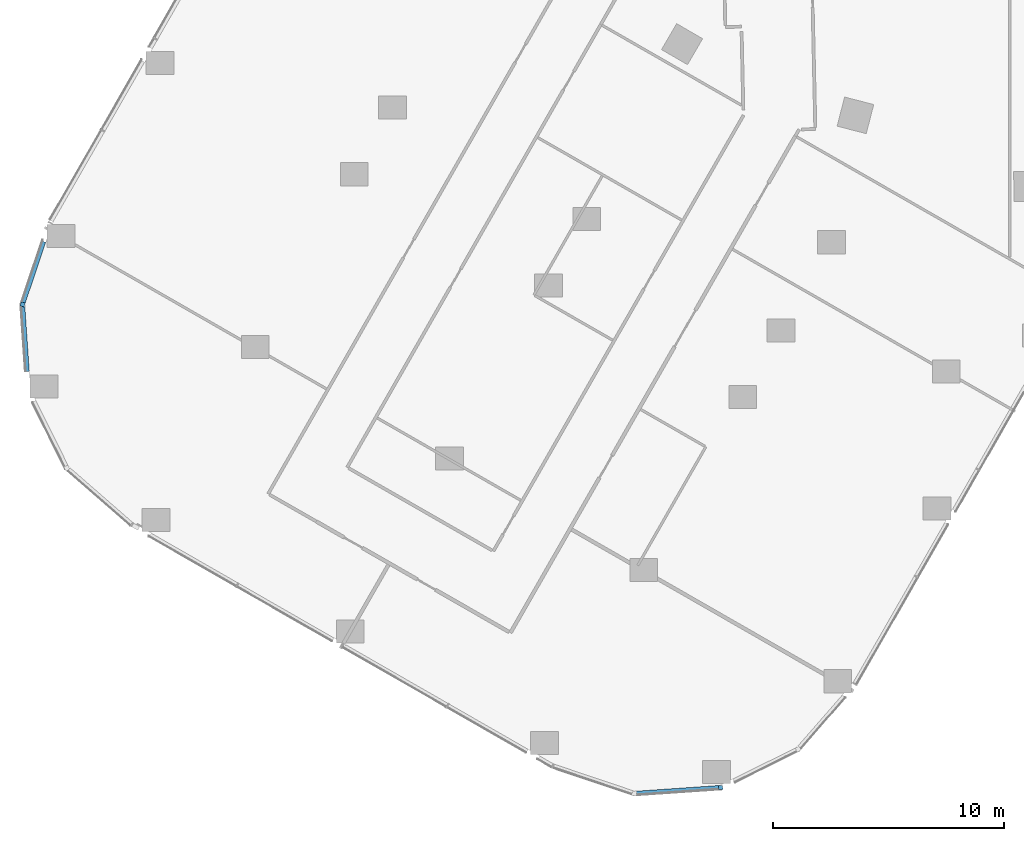
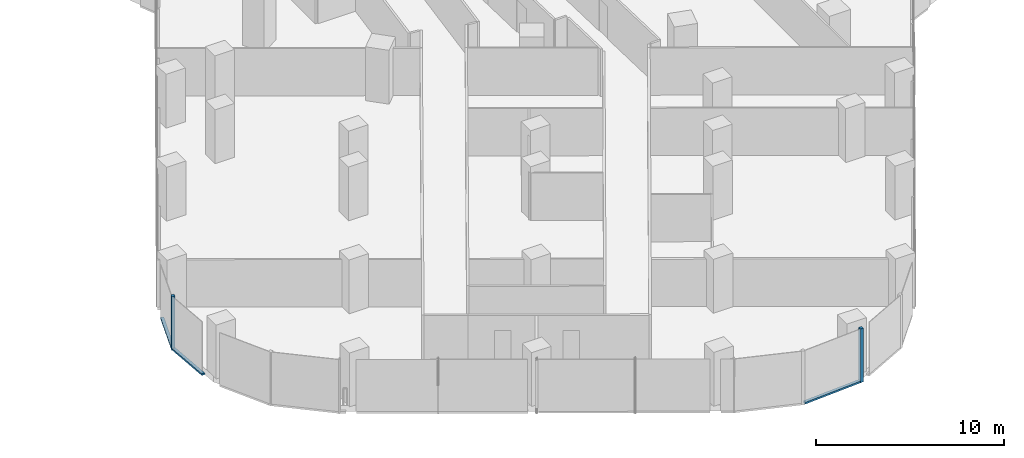
# One storey, part 3 of 34: 5 members, 3 elements without a shape of their own.
"""IFC4 building model written with IfcOpenShell, lengths in metres."""

from ifc_helpers import new_model, si_unit, direction, frame, origin, origin_2d, place, context, subcontext, project, spatial, rectangle, extrude, material, material_profile, profile_set, type_object, element, aggregate, save


model = new_model("IFC4")

# Units and contexts
model_context = context("Model", 3, precision=1e-05, world=origin(), true_north=direction((0.0, 1.0)))
body_context = subcontext(model_context, "Body", "Model", "MODEL_VIEW")
ifc_project = project(units=[si_unit("LENGTHUNIT", "METRE"), si_unit("AREAUNIT", "SQUARE_METRE"), si_unit("VOLUMEUNIT", "CUBIC_METRE"), si_unit("PLANEANGLEUNIT", "RADIAN"), si_unit("MASSUNIT", "GRAM", prefix="KILO")], contexts=[model_context])

# Site, building, storey
site_placement = place(None, origin())
site = spatial("IfcSite", under=ifc_project, at=site_placement, CompositionType="ELEMENT")
building_placement = place(site_placement, origin())
building = spatial("IfcBuilding", under=site, at=building_placement, Name="Orlundy Tower", CompositionType="ELEMENT")
storey_placement = place(building_placement, frame((0.0, 0.0, 105.699951171875)))
storey = spatial("IfcBuildingStorey", under=building, at=storey_placement, Name="L26", CompositionType="ELEMENT", Elevation=105.699951171875)

# Curtain wall, member
ifc_material_1 = material(Name="Aluminium bronze anodised", Category="aluminium")
curtain_wall_type = type_object("IfcCurtainWallType", Name="CW1 wall", PredefinedType="NOTDEFINED", material=ifc_material_1)
curtain_wall_1_placement = place(storey_placement, origin())
curtain_wall_1 = element("IfcCurtainWall", 1, at=curtain_wall_1_placement, inside=storey, type_object=curtain_wall_type, Name="CW1 run 05", PredefinedType="NOTDEFINED")
ifc_material_2 = material(Name="Aluminium bronze anodised", Category="aluminium")
ifc_material_profile_1 = material_profile(ifc_material_2, rectangle(XDim=0.179931640625, YDim=0.179931640625, at=origin_2d()), Name="CW1 corner post 180x180")
ifc_profile_set_1 = profile_set([ifc_material_profile_1], Name="Aluminium bronze anodised")
member_type_1 = type_object("IfcMemberType", Name="CW1 corner post 180x180", PredefinedType="MULLION", material=ifc_profile_set_1)
member_1_placement = place(storey_placement, frame((-13.256103515625, -57.8544921875, -0.39990234375), z_axis=(0.0, 0.0, 1.0), x_axis=(0.068524326451, -0.99764944579, 0.0)))
member_1 = element("IfcMember", 2, at=member_1_placement, type_object=member_type_1, Name="CW1 mullion 16", PredefinedType="MULLION", context=body_context, shape_type="SweptSolid", body=[
    extrude(rectangle(XDim=0.179931640625, YDim=0.179931640625, at=origin_2d()), origin(), (0.0, 0.0, 1.0), 3.5),
])

curtain_wall_2_placement = place(storey_placement, origin())
curtain_wall_2 = element("IfcCurtainWall", 3, at=curtain_wall_2_placement, inside=storey, type_object=curtain_wall_type, Name="CW1 run 011", PredefinedType="NOTDEFINED")
member_2_placement = place(storey_placement, frame((-43.49609375, -36.92626953125, -0.39990234375), z_axis=(0.0, 0.0, 1.0), x_axis=(-0.947816641566, 0.318815956268, 0.0)))
member_2 = element("IfcMember", 4, at=member_2_placement, type_object=member_type_1, Name="CW1 mullion 25", PredefinedType="MULLION", context=body_context, shape_type="SweptSolid", body=[
    extrude(rectangle(XDim=0.179931640625, YDim=0.179931640625, at=origin_2d()), origin(), (0.0, 0.0, 1.0), 3.5),
])

# Member
ifc_material_3 = material(Name="Aluminium bronze anodised", Category="aluminium")
ifc_material_profile_2 = material_profile(ifc_material_3, rectangle(XDim=0.179931640625, YDim=0.1201171875, at=origin_2d()), Name="CW1 transom 180x120")
ifc_profile_set_2 = profile_set([ifc_material_profile_2], Name="Aluminium bronze anodised")
member_type_2 = type_object("IfcMemberType", Name="CW1 transom 180x120", PredefinedType="USERDEFINED", material=ifc_profile_set_2)
member_3_placement = place(storey_placement, frame((-13.345703125, -57.86083984375, -0.33984375), z_axis=(-0.997653514019, -0.068465071137, 0.0), x_axis=(0.068465071137, -0.997653514019, 0.0)))
member_3 = element("IfcMember", 5, at=member_3_placement, type_object=member_type_2, Name="CW1 transom", ObjectType="TRANSOM", PredefinedType="USERDEFINED", context=body_context, shape_type="SweptSolid", body=[
    extrude(rectangle(XDim=0.179931640625, YDim=0.1201171875, at=origin_2d()), origin(), (0.0, 0.0, 1.0), 3.55517578125),
])

aggregate(curtain_wall_1, [member_1, member_3])

# Curtain wall, member
curtain_wall_3_placement = place(storey_placement, origin())
curtain_wall_3 = element("IfcCurtainWall", 6, at=curtain_wall_3_placement, inside=storey, type_object=curtain_wall_type, Name="CW1 run 010", PredefinedType="NOTDEFINED")
member_4_placement = place(storey_placement, frame((-43.29736328125, -39.8291015625, -0.33984375), z_axis=(-0.068235990072, 0.997669208535, 0.0), x_axis=(-0.997669208535, -0.068235990072, 0.0)))
member_4 = element("IfcMember", 7, at=member_4_placement, type_object=member_type_2, Name="CW1 transom", ObjectType="TRANSOM", PredefinedType="USERDEFINED", context=body_context, shape_type="SweptSolid", body=[
    extrude(rectangle(XDim=0.179931640625, YDim=0.1201171875, at=origin_2d()), origin(), (0.0, 0.0, 1.0), 2.812255859375),
])
aggregate(curtain_wall_3, [member_4])

# Member
member_5_placement = place(storey_placement, frame((-43.46728515625, -36.841064453125, -0.33984375), z_axis=(0.318784984318, 0.947827059, 0.0), x_axis=(-0.947827059, 0.318784984318, 0.0)))
member_5 = element("IfcMember", 8, at=member_5_placement, type_object=member_type_2, Name="CW1 transom", ObjectType="TRANSOM", PredefinedType="USERDEFINED", context=body_context, shape_type="SweptSolid", body=[
    extrude(rectangle(XDim=0.179931640625, YDim=0.1201171875, at=origin_2d()), origin(), (0.0, 0.0, 1.0), 2.77685546875),
])

aggregate(curtain_wall_2, [member_2, member_5])

save(model, "model.ifc")
